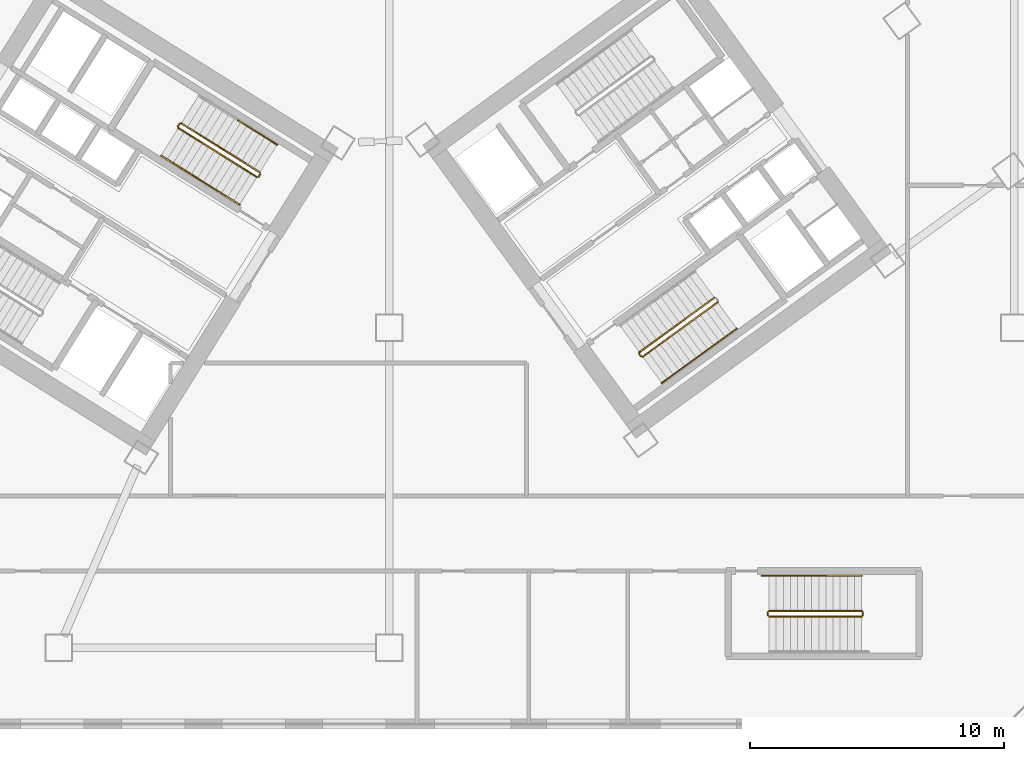
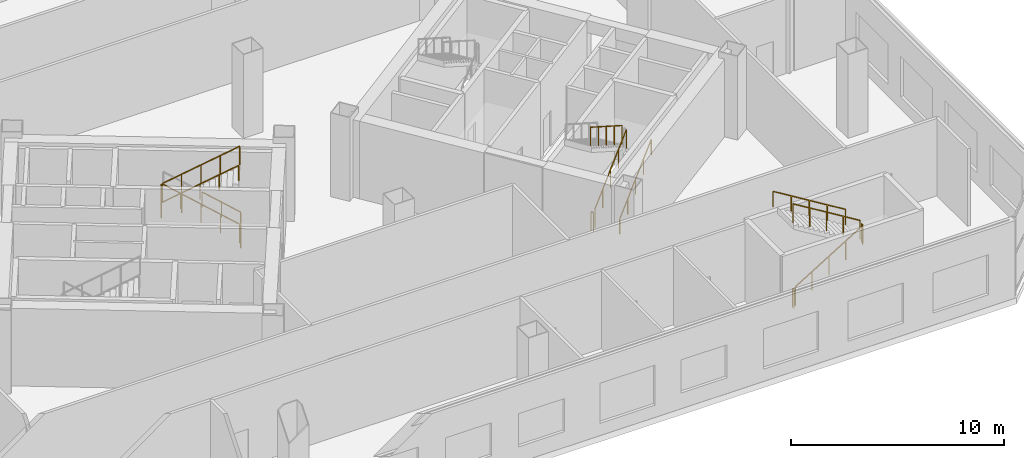
# One storey, part 20 of 22: 17 railings.
"""IFC4 building model written with IfcOpenShell, lengths in metres."""

from ifc_helpers import new_model, si_unit, direction, frame, origin, origin_2d, place, context, subcontext, project, spatial, rectangle, extrude, source, transform, mapped, material, type_object, element, save


model = new_model("IFC4")

# Units and contexts
model_context = context("Model", 3, precision=1e-05, world=origin(), true_north=direction((0.0, 1.0)))
body_context = subcontext(model_context, "Body", "Model", "MODEL_VIEW")
ifc_project = project(units=[si_unit("LENGTHUNIT", "METRE"), si_unit("AREAUNIT", "SQUARE_METRE"), si_unit("VOLUMEUNIT", "CUBIC_METRE"), si_unit("PLANEANGLEUNIT", "RADIAN"), si_unit("MASSUNIT", "GRAM", prefix="KILO")], contexts=[model_context])

# Site, building, storey
site_placement = place(None, origin())
site = spatial("IfcSite", under=ifc_project, at=site_placement, CompositionType="ELEMENT")
building_placement = place(site_placement, origin())
building = spatial("IfcBuilding", under=site, at=building_placement, Name="Tlacorven Tower", CompositionType="ELEMENT")
storey_placement = place(building_placement, frame((0.0, 0.0, 5.39990234375)))
storey = spatial("IfcBuildingStorey", under=building, at=storey_placement, Name="L01", CompositionType="ELEMENT", Elevation=5.39990234375)

# Railings
ifc_material = material(Name="Aluminium and painted steel balustrade", Category="steel")
railing_type_1 = type_object("IfcRailingType", Name="RL-GRD-1100", PredefinedType="GUARDRAIL", material=ifc_material)
shared_shape_1 = source(origin(), body_context, "Body", "SweptSolid", [
    extrude(rectangle(XDim=0.048095703125, YDim=0.048095703125, at=origin_2d()), frame((0.0, 0.0, 1.076171875), z_axis=(-0.723262235119, 0.451953093932, 0.522139962209), x_axis=(-0.529926592015, -0.848043517206, 0.0)), (0.0, 0.0, 1.0), 4.26806640625),
    extrude(rectangle(XDim=0.0419921875, YDim=0.0419921875, at=origin_2d()), origin(), (0.0, 0.0, 1.0), 1.052001953125),
    extrude(rectangle(XDim=0.0419921875, YDim=0.0419921875, at=origin_2d()), frame((-0.771728515625, 0.482177734375, 0.55712890625)), (0.0, 0.0, 1.0), 1.052001953125),
    extrude(rectangle(XDim=0.0419921875, YDim=0.0419921875, at=origin_2d()), frame((-1.54345703125, 0.96435546875, 1.1142578125)), (0.0, 0.0, 1.0), 1.052001953125),
    extrude(rectangle(XDim=0.0419921875, YDim=0.0419921875, at=origin_2d()), frame((-2.315185546875, 1.44677734375, 1.67138671875)), (0.0, 0.0, 1.0), 1.052001953125),
    extrude(rectangle(XDim=0.0419921875, YDim=0.0419921875, at=origin_2d()), frame((-3.0869140625, 1.928955078125, 2.228515625)), (0.0, 0.0, 1.0), 1.052001953125),
])
railing_1_placement = place(storey_placement, frame((37.712158203125, 23.3095703125, 0.171630859375)))
element("IfcRailing", 1, at=railing_1_placement, inside=storey, type_object=railing_type_1, Name="L01 ST-W2 stair guard 1", PredefinedType="GUARDRAIL", context=body_context, shape_type="MappedRepresentation", body=[
    mapped(shared_shape_1, transform((0.0, 0.0, 0.0), scale=1.0)),
])
railing_type_2 = type_object("IfcRailingType", Name="RL-HND-0900", PredefinedType="HANDRAIL", material=ifc_material)
shared_shape_2 = source(origin(), body_context, "Body", "SweptSolid", [
    extrude(rectangle(XDim=0.048095703125, YDim=0.048095703125, at=origin_2d()), frame((0.0, 0.0, 0.8759765625), z_axis=(-0.723280932889, 0.45190757433, 0.522153460567), x_axis=(-0.529878353595, -0.848073658589, 0.0)), (0.0, 0.0, 1.0), 2.134033203125),
    extrude(rectangle(XDim=0.0419921875, YDim=0.0419921875, at=origin_2d()), origin(), (0.0, 0.0, 1.0), 0.851806640625),
    extrude(rectangle(XDim=0.0419921875, YDim=0.0419921875, at=origin_2d()), frame((-0.771728515625, 0.482177734375, 0.55712890625)), (0.0, 0.0, 1.0), 0.851806640625),
    extrude(rectangle(XDim=0.0419921875, YDim=0.0419921875, at=origin_2d()), frame((-1.54345703125, 0.96435546875, 1.1142578125)), (0.0, 0.0, 1.0), 0.851806640625),
])
railing_2_placement = place(storey_placement, frame((38.390625, 24.39501953125, 0.171630859375)))
element("IfcRailing", 2, at=railing_2_placement, inside=storey, type_object=railing_type_2, Name="L01 ST-W2 stair handrail 1", PredefinedType="HANDRAIL", context=body_context, shape_type="MappedRepresentation", body=[
    mapped(shared_shape_2, transform((0.0, 0.0, 0.0), scale=1.0)),
])
shared_shape_3 = source(origin(), body_context, "Body", "SweptSolid", [
    extrude(rectangle(XDim=0.048095703125, YDim=0.048095703125, at=origin_2d()), frame((0.0, 0.0, 0.8759765625), z_axis=(0.723243536433, -0.451998610004, 0.522126463189), x_axis=(0.529974825293, 0.848013375222, 0.0)), (0.0, 0.0, 1.0), 2.134033203125),
    extrude(rectangle(XDim=0.0419921875, YDim=0.0419921875, at=origin_2d()), origin(), (0.0, 0.0, 1.0), 0.851806640625),
    extrude(rectangle(XDim=0.0419921875, YDim=0.0419921875, at=origin_2d()), frame((0.771728515625, -0.482421875, 0.55712890625)), (0.0, 0.0, 1.0), 0.851806640625),
    extrude(rectangle(XDim=0.0419921875, YDim=0.0419921875, at=origin_2d()), frame((1.54345703125, -0.964599609375, 1.1142578125)), (0.0, 0.0, 1.0), 0.851806640625),
])
railing_3_placement = place(storey_placement, frame((35.3740234375, 23.001953125, 3.685791015625)))
element("IfcRailing", 3, at=railing_3_placement, inside=storey, type_object=railing_type_2, Name="L01 ST-W2 stair handrail 4", PredefinedType="HANDRAIL", context=body_context, shape_type="MappedRepresentation", body=[
    mapped(shared_shape_3, transform((0.0, 0.0, 0.0), scale=1.0)),
])
shared_shape_4 = source(origin(), body_context, "Body", "SweptSolid", [
    extrude(rectangle(XDim=0.048095703125, YDim=0.048095703125, at=origin_2d()), frame((0.0, 0.0, 0.8759765625), z_axis=(0.723280932889, -0.45190757433, 0.522153460567), x_axis=(0.529878353595, 0.848073658589, 0.0)), (0.0, 0.0, 1.0), 2.134033203125),
    extrude(rectangle(XDim=0.0419921875, YDim=0.0419921875, at=origin_2d()), origin(), (0.0, 0.0, 1.0), 0.851806640625),
    extrude(rectangle(XDim=0.0419921875, YDim=0.0419921875, at=origin_2d()), frame((0.771728515625, -0.482177734375, 0.55712890625)), (0.0, 0.0, 1.0), 0.851806640625),
    extrude(rectangle(XDim=0.0419921875, YDim=0.0419921875, at=origin_2d()), frame((1.54345703125, -0.96435546875, 1.1142578125)), (0.0, 0.0, 1.0), 0.851806640625),
])
railing_4_placement = place(storey_placement, frame((33.83056640625, 23.96630859375, 2.571533203125)))
element("IfcRailing", 4, at=railing_4_placement, inside=storey, type_object=railing_type_2, Name="L01 ST-W2 stair handrail 3", PredefinedType="HANDRAIL", context=body_context, shape_type="MappedRepresentation", body=[
    mapped(shared_shape_4, transform((0.0, 0.0, 0.0), scale=1.0)),
])
shared_shape_5 = source(origin(), body_context, "Body", "SweptSolid", [
    extrude(rectangle(XDim=0.048095703125, YDim=0.048095703125, at=origin_2d()), frame((0.0, 0.0, 1.076171875), z_axis=(-0.530546985787, -0.847655529016, 0.0), x_axis=(0.847655529016, -0.530546985787, 0.0)), (0.0, 0.0, 1.0), 0.1201171875),
    extrude(rectangle(XDim=0.0419921875, YDim=0.0419921875, at=origin_2d()), origin(), (0.0, 0.0, 1.0), 1.052001953125),
    extrude(rectangle(XDim=0.0419921875, YDim=0.0419921875, at=origin_2d()), frame((-0.063720703125, -0.101806640625, 0.0)), (0.0, 0.0, 1.0), 1.052001953125),
])
railing_5_placement = place(storey_placement, frame((37.728271484375, 23.24072265625, 0.0)))
element("IfcRailing", 5, at=railing_5_placement, inside=storey, type_object=railing_type_1, Name="L01 ST-W2 stair guard 4", PredefinedType="GUARDRAIL", context=body_context, shape_type="MappedRepresentation", body=[
    mapped(shared_shape_5, transform((0.0, 0.0, 0.0), scale=1.0)),
])
shared_shape_6 = source(origin(), body_context, "Body", "SweptSolid", [
    extrude(rectangle(XDim=0.048095703125, YDim=0.048095703125, at=origin_2d()), frame((0.0, 0.0, 1.076171875), z_axis=(-0.529998940003, -0.847998304005, 0.0), x_axis=(0.847998304005, -0.529998940003, 0.0)), (0.0, 0.0, 1.0), 0.119873046875),
    extrude(rectangle(XDim=0.0419921875, YDim=0.0419921875, at=origin_2d()), origin(), (0.0, 0.0, 1.0), 1.052001953125),
    extrude(rectangle(XDim=0.0419921875, YDim=0.0419921875, at=origin_2d()), frame((-0.0634765625, -0.1015625, 0.0)), (0.0, 0.0, 1.0), 1.052001953125),
])
railing_6_placement = place(storey_placement, frame((34.556396484375, 25.222412109375, 2.400146484375)))
element("IfcRailing", 6, at=railing_6_placement, inside=storey, type_object=railing_type_1, Name="L01 ST-W2 stair guard 2", PredefinedType="GUARDRAIL", context=body_context, shape_type="MappedRepresentation", body=[
    mapped(shared_shape_6, transform((0.0, 0.0, 0.0), scale=1.0)),
])
shared_shape_7 = source(origin(), body_context, "Body", "SweptSolid", [
    extrude(rectangle(XDim=0.048095703125, YDim=0.048095703125, at=origin_2d()), frame((0.0, 0.0, 1.076171875), z_axis=(0.723280932889, -0.45190757433, 0.522153460567), x_axis=(0.529878353595, 0.848073658589, 0.0)), (0.0, 0.0, 1.0), 4.267822265625),
    extrude(rectangle(XDim=0.0419921875, YDim=0.0419921875, at=origin_2d()), origin(), (0.0, 0.0, 1.0), 1.052001953125),
    extrude(rectangle(XDim=0.0419921875, YDim=0.0419921875, at=origin_2d()), frame((0.771728515625, -0.482177734375, 0.55712890625)), (0.0, 0.0, 1.0), 1.052001953125),
    extrude(rectangle(XDim=0.0419921875, YDim=0.0419921875, at=origin_2d()), frame((1.54345703125, -0.96435546875, 1.1142578125)), (0.0, 0.0, 1.0), 1.052001953125),
    extrude(rectangle(XDim=0.0419921875, YDim=0.0419921875, at=origin_2d()), frame((2.315185546875, -1.446533203125, 1.67138671875)), (0.0, 0.0, 1.0), 1.052001953125),
    extrude(rectangle(XDim=0.0419921875, YDim=0.0419921875, at=origin_2d()), frame((3.0869140625, -1.9287109375, 2.228515625)), (0.0, 0.0, 1.0), 1.052001953125),
])
railing_7_placement = place(storey_placement, frame((34.5087890625, 25.0517578125, 2.571533203125)))
element("IfcRailing", 7, at=railing_7_placement, inside=storey, type_object=railing_type_1, Name="L01 ST-W2 stair guard 3", PredefinedType="GUARDRAIL", context=body_context, shape_type="MappedRepresentation", body=[
    mapped(shared_shape_7, transform((0.0, 0.0, 0.0), scale=1.0)),
])
shared_shape_8 = source(origin(), body_context, "Body", "SweptSolid", [
    extrude(rectangle(XDim=0.048095703125, YDim=0.048095703125, at=origin_2d()), frame((0.0, 0.0, 1.076171875), z_axis=(-0.587567097037, 0.809175448515, 0.0), x_axis=(-0.809175448515, -0.587567097037, 0.0)), (0.0, 0.0, 1.0), 0.1201171875),
    extrude(rectangle(XDim=0.0419921875, YDim=0.0419921875, at=origin_2d()), origin(), (0.0, 0.0, 1.0), 1.052001953125),
    extrude(rectangle(XDim=0.0419921875, YDim=0.0419921875, at=origin_2d()), frame((-0.070556640625, 0.09716796875, 0.0)), (0.0, 0.0, 1.0), 1.052001953125),
])
railing_8_placement = place(storey_placement, frame((52.71142578125, 16.065673828125, 0.0)))
element("IfcRailing", 8, at=railing_8_placement, inside=storey, type_object=railing_type_1, Name="L01 ST-E2 stair guard 4", PredefinedType="GUARDRAIL", context=body_context, shape_type="MappedRepresentation", body=[
    mapped(shared_shape_8, transform((0.0, 0.0, 0.0), scale=1.0)),
])
shared_shape_9 = source(origin(), body_context, "Body", "SweptSolid", [
    extrude(rectangle(XDim=0.048095703125, YDim=0.048095703125, at=origin_2d()), frame((0.0, 0.0, 1.076171875), z_axis=(-0.689987059858, -0.501273139242, 0.522152369623), x_axis=(0.587760844897, -0.809034726823, 0.0)), (0.0, 0.0, 1.0), 4.267822265625),
    extrude(rectangle(XDim=0.0419921875, YDim=0.0419921875, at=origin_2d()), origin(), (0.0, 0.0, 1.0), 1.052001953125),
    extrude(rectangle(XDim=0.0419921875, YDim=0.0419921875, at=origin_2d()), frame((-0.736328125, -0.534912109375, 0.55712890625)), (0.0, 0.0, 1.0), 1.052001953125),
    extrude(rectangle(XDim=0.0419921875, YDim=0.0419921875, at=origin_2d()), frame((-1.472412109375, -1.06982421875, 1.1142578125)), (0.0, 0.0, 1.0), 1.052001953125),
    extrude(rectangle(XDim=0.0419921875, YDim=0.0419921875, at=origin_2d()), frame((-2.20849609375, -1.6044921875, 1.67138671875)), (0.0, 0.0, 1.0), 1.052001953125),
    extrude(rectangle(XDim=0.0419921875, YDim=0.0419921875, at=origin_2d()), frame((-2.94482421875, -2.139404296875, 2.228515625)), (0.0, 0.0, 1.0), 1.052001953125),
])
railing_9_placement = place(storey_placement, frame((55.5966796875, 18.3720703125, 2.571533203125)))
element("IfcRailing", 9, at=railing_9_placement, inside=storey, type_object=railing_type_1, Name="L01 ST-E2 stair guard 3", PredefinedType="GUARDRAIL", context=body_context, shape_type="MappedRepresentation", body=[
    mapped(shared_shape_9, transform((0.0, 0.0, 0.0), scale=1.0)),
])
shared_shape_10 = source(origin(), body_context, "Body", "SweptSolid", [
    extrude(rectangle(XDim=0.048095703125, YDim=0.048095703125, at=origin_2d()), frame((0.0, 0.0, 0.8759765625), z_axis=(0.689967274537, 0.501315967008, 0.522137396947), x_axis=(-0.587804744085, 0.8090028324, 0.0)), (0.0, 0.0, 1.0), 2.134033203125),
    extrude(rectangle(XDim=0.0419921875, YDim=0.0419921875, at=origin_2d()), origin(), (0.0, 0.0, 1.0), 0.851806640625),
    extrude(rectangle(XDim=0.0419921875, YDim=0.0419921875, at=origin_2d()), frame((0.736328125, 0.534912109375, 0.55712890625)), (0.0, 0.0, 1.0), 0.851806640625),
    extrude(rectangle(XDim=0.0419921875, YDim=0.0419921875, at=origin_2d()), frame((1.472412109375, 1.06982421875, 1.1142578125)), (0.0, 0.0, 1.0), 0.851806640625),
])
for number, where, name in (
    (10, (53.53369140625, 15.01904296875, 0.171630859375), "L01 ST-E2 stair handrail 1"),
    (11, (55.006103515625, 16.0888671875, 1.285888671875), "L01 ST-E2 stair handrail 2"),
):
    element("IfcRailing", number, at=place(storey_placement, frame(where)), inside=storey, type_object=railing_type_2, Name=name, PredefinedType="HANDRAIL", context=body_context, shape_type="MappedRepresentation", body=[
        mapped(shared_shape_10, transform((0.0, 0.0, 0.0), scale=1.0)),
    ])
shared_shape_11 = source(origin(), body_context, "Body", "SweptSolid", [
    extrude(rectangle(XDim=0.048095703125, YDim=0.048095703125, at=origin_2d()), frame((0.0, 0.0, 1.076171875), z_axis=(0.689987059858, 0.501273139242, 0.522152369623), x_axis=(-0.587760844897, 0.809034726823, 0.0)), (0.0, 0.0, 1.0), 4.267822265625),
    extrude(rectangle(XDim=0.0419921875, YDim=0.0419921875, at=origin_2d()), origin(), (0.0, 0.0, 1.0), 1.052001953125),
    extrude(rectangle(XDim=0.0419921875, YDim=0.0419921875, at=origin_2d()), frame((0.736328125, 0.534912109375, 0.55712890625)), (0.0, 0.0, 1.0), 1.052001953125),
    extrude(rectangle(XDim=0.0419921875, YDim=0.0419921875, at=origin_2d()), frame((1.472412109375, 1.06982421875, 1.1142578125)), (0.0, 0.0, 1.0), 1.052001953125),
    extrude(rectangle(XDim=0.0419921875, YDim=0.0419921875, at=origin_2d()), frame((2.20849609375, 1.6044921875, 1.67138671875)), (0.0, 0.0, 1.0), 1.052001953125),
    extrude(rectangle(XDim=0.0419921875, YDim=0.0419921875, at=origin_2d()), frame((2.94482421875, 2.139404296875, 2.228515625)), (0.0, 0.0, 1.0), 1.052001953125),
])
railing_10_placement = place(storey_placement, frame((52.78125, 16.0546875, 0.171630859375)))
element("IfcRailing", 12, at=railing_10_placement, inside=storey, type_object=railing_type_1, Name="L01 ST-E2 stair guard 1", PredefinedType="GUARDRAIL", context=body_context, shape_type="MappedRepresentation", body=[
    mapped(shared_shape_11, transform((0.0, 0.0, 0.0), scale=1.0)),
])
shared_shape_12 = source(origin(), body_context, "Body", "SweptSolid", [
    extrude(rectangle(XDim=0.048095703125, YDim=0.048095703125, at=origin_2d()), frame((0.0, 0.0, 1.076171875), z_axis=(0.852850264322, 0.0, 0.5221555579), x_axis=(0.0, 1.0, 0.0)), (0.0, 0.0, 1.0), 4.267822265625),
    extrude(rectangle(XDim=0.0419921875, YDim=0.0419921875, at=origin_2d()), origin(), (0.0, 0.0, 1.0), 1.052001953125),
    extrude(rectangle(XDim=0.0419921875, YDim=0.0419921875, at=origin_2d()), frame((0.909912109375, 0.0, 0.55712890625)), (0.0, 0.0, 1.0), 1.052001953125),
    extrude(rectangle(XDim=0.0419921875, YDim=0.0419921875, at=origin_2d()), frame((1.81982421875, 0.0, 1.1142578125)), (0.0, 0.0, 1.0), 1.052001953125),
    extrude(rectangle(XDim=0.0419921875, YDim=0.0419921875, at=origin_2d()), frame((2.72998046875, 0.0, 1.67138671875)), (0.0, 0.0, 1.0), 1.052001953125),
    extrude(rectangle(XDim=0.0419921875, YDim=0.0419921875, at=origin_2d()), frame((3.639892578125, 0.0, 2.228515625)), (0.0, 0.0, 1.0), 1.052001953125),
])
railing_11_placement = place(storey_placement, frame((57.75, 5.830078125, 0.171630859375)))
element("IfcRailing", 13, at=railing_11_placement, inside=storey, type_object=railing_type_1, Name="L01 ST-P2 stair guard 1", PredefinedType="GUARDRAIL", context=body_context, shape_type="MappedRepresentation", body=[
    mapped(shared_shape_12, transform((0.0, 0.0, 0.0), scale=1.0)),
])
shared_shape_13 = source(origin(), body_context, "Body", "SweptSolid", [
    extrude(rectangle(XDim=0.048095703125, YDim=0.048095703125, at=origin_2d()), frame((0.0, 0.0, 1.076171875), z_axis=(0.0, 1.0, 0.0), x_axis=(-1.0, 0.0, 0.0)), (0.0, 0.0, 1.0), 0.1201171875),
    extrude(rectangle(XDim=0.0419921875, YDim=0.0419921875, at=origin_2d()), origin(), (0.0, 0.0, 1.0), 1.052001953125),
    extrude(rectangle(XDim=0.0419921875, YDim=0.0419921875, at=origin_2d()), frame((0.0, 0.1201171875, 0.0)), (0.0, 0.0, 1.0), 1.052001953125),
])
for number, where, name in (
    (14, (61.43994140625, 5.8798828125, 2.400146484375), "L01 ST-P2 stair guard 2"),
    (15, (57.699951171875, 5.8798828125, 0.0), "L01 ST-P2 stair guard 4"),
):
    element("IfcRailing", number, at=place(storey_placement, frame(where)), inside=storey, type_object=railing_type_1, Name=name, PredefinedType="GUARDRAIL", context=body_context, shape_type="MappedRepresentation", body=[
        mapped(shared_shape_13, transform((0.0, 0.0, 0.0), scale=1.0)),
    ])
shared_shape_14 = source(origin(), body_context, "Body", "SweptSolid", [
    extrude(rectangle(XDim=0.048095703125, YDim=0.048095703125, at=origin_2d()), frame((0.0, 0.0, 1.076171875), z_axis=(-0.852850264322, 0.0, 0.5221555579), x_axis=(0.0, -1.0, 0.0)), (0.0, 0.0, 1.0), 4.267822265625),
    extrude(rectangle(XDim=0.0419921875, YDim=0.0419921875, at=origin_2d()), origin(), (0.0, 0.0, 1.0), 1.052001953125),
    extrude(rectangle(XDim=0.0419921875, YDim=0.0419921875, at=origin_2d()), frame((-0.909912109375, 0.0, 0.55712890625)), (0.0, 0.0, 1.0), 1.052001953125),
    extrude(rectangle(XDim=0.0419921875, YDim=0.0419921875, at=origin_2d()), frame((-1.81982421875, 0.0, 1.1142578125)), (0.0, 0.0, 1.0), 1.052001953125),
    extrude(rectangle(XDim=0.0419921875, YDim=0.0419921875, at=origin_2d()), frame((-2.72998046875, 0.0, 1.67138671875)), (0.0, 0.0, 1.0), 1.052001953125),
    extrude(rectangle(XDim=0.0419921875, YDim=0.0419921875, at=origin_2d()), frame((-3.639892578125, 0.0, 2.228515625)), (0.0, 0.0, 1.0), 1.052001953125),
])
railing_12_placement = place(storey_placement, frame((61.389892578125, 6.050048828125, 2.571533203125)))
element("IfcRailing", 16, at=railing_12_placement, inside=storey, type_object=railing_type_1, Name="L01 ST-P2 stair guard 3", PredefinedType="GUARDRAIL", context=body_context, shape_type="MappedRepresentation", body=[
    mapped(shared_shape_14, transform((0.0, 0.0, 0.0), scale=1.0)),
])
shared_shape_15 = source(origin(), body_context, "Body", "SweptSolid", [
    extrude(rectangle(XDim=0.048095703125, YDim=0.048095703125, at=origin_2d()), frame((0.0, 0.0, 0.8759765625), z_axis=(-0.852856131449, 0.0, 0.522145974847), x_axis=(0.0, -1.0, 0.0)), (0.0, 0.0, 1.0), 4.59619140625),
    extrude(rectangle(XDim=0.0419921875, YDim=0.0419921875, at=origin_2d()), origin(), (0.0, 0.0, 1.0), 0.851806640625),
    extrude(rectangle(XDim=0.0419921875, YDim=0.0419921875, at=origin_2d()), frame((-0.97998046875, 0.0, 0.60009765625)), (0.0, 0.0, 1.0), 0.851806640625),
    extrude(rectangle(XDim=0.0419921875, YDim=0.0419921875, at=origin_2d()), frame((-1.9599609375, 0.0, 1.199951171875)), (0.0, 0.0, 1.0), 0.851806640625),
    extrude(rectangle(XDim=0.0419921875, YDim=0.0419921875, at=origin_2d()), frame((-2.93994140625, 0.0, 1.7998046875)), (0.0, 0.0, 1.0), 0.851806640625),
    extrude(rectangle(XDim=0.0419921875, YDim=0.0419921875, at=origin_2d()), frame((-3.919921875, 0.0, 2.39990234375)), (0.0, 0.0, 1.0), 0.851806640625),
])
railing_13_placement = place(storey_placement, frame((61.389892578125, 7.429931640625, 2.571533203125)))
element("IfcRailing", 17, at=railing_13_placement, inside=storey, type_object=railing_type_2, Name="L01 ST-P2 stair handrail 2", PredefinedType="HANDRAIL", context=body_context, shape_type="MappedRepresentation", body=[
    mapped(shared_shape_15, transform((0.0, 0.0, 0.0), scale=1.0)),
])

save(model, "model.ifc")
